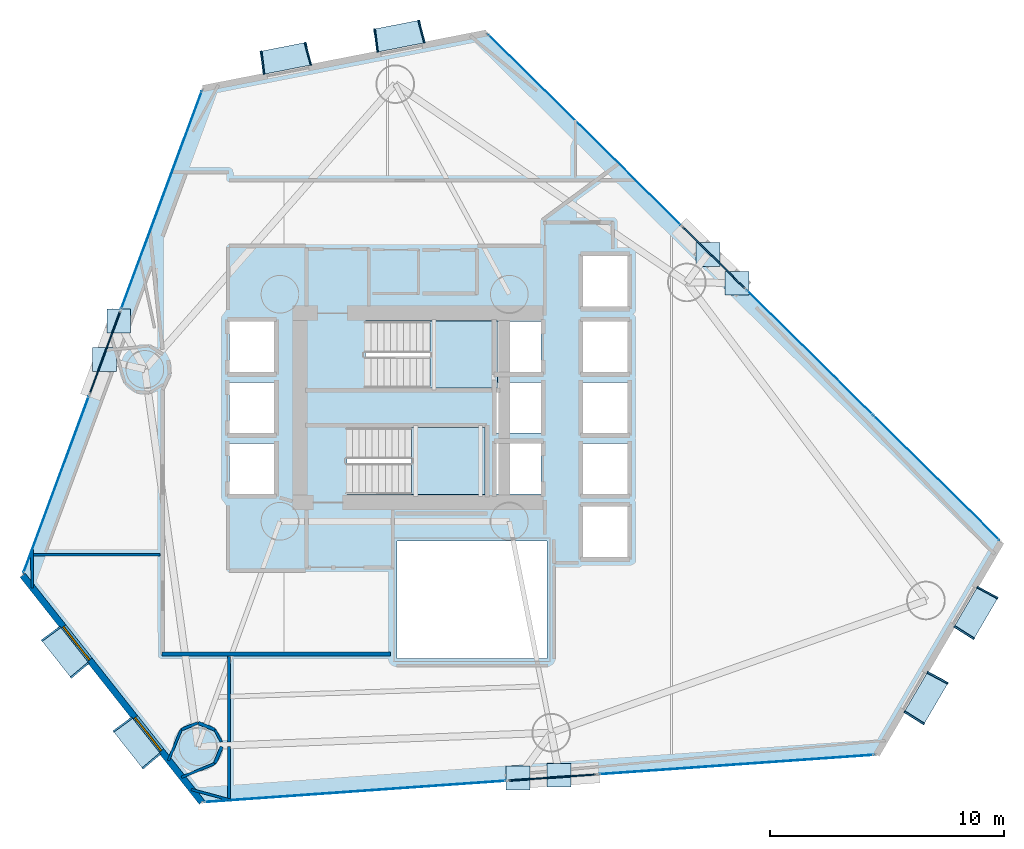
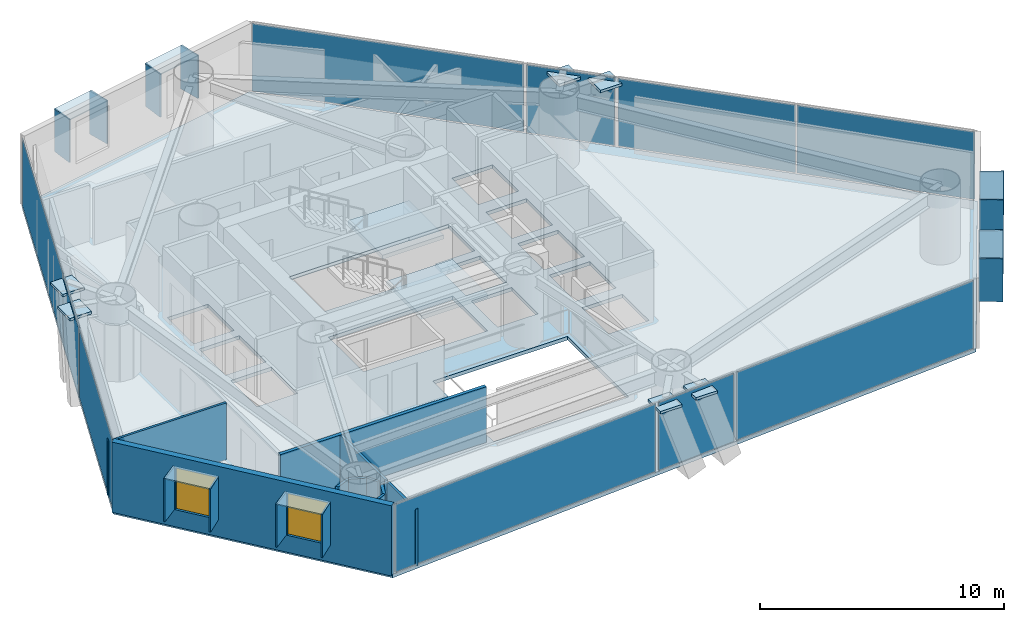
# One storey, part 17 of 24: 34 plates, 13 walls, 3 slabs, 2 windows, 2 openings, 11 elements without a shape of their own.
"""IFC4 building model written with IfcOpenShell, lengths in metres."""

from ifc_helpers import new_model, si_unit, direction, frame, frame_2d, origin, origin_2d, place, context, subcontext, project, spatial, polyline, rectangle, outline, extrude, material, layer, layer_set, type_object, element, fill, aggregate, save


model = new_model("IFC4")

# Units and contexts
model_context = context("Model", 3, precision=1e-05, world=origin(), true_north=direction((0.0, 1.0)))
body_context = subcontext(model_context, "Body", "Model", "MODEL_VIEW")
ifc_project = project(units=[si_unit("LENGTHUNIT", "METRE"), si_unit("AREAUNIT", "SQUARE_METRE"), si_unit("VOLUMEUNIT", "CUBIC_METRE"), si_unit("PLANEANGLEUNIT", "RADIAN"), si_unit("MASSUNIT", "GRAM", prefix="KILO")], contexts=[model_context])

# Site, building, storey
site_placement = place(None, origin())
site = spatial("IfcSite", under=ifc_project, at=site_placement, CompositionType="ELEMENT")
building_placement = place(site_placement, origin())
building = spatial("IfcBuilding", under=site, at=building_placement, Name="Qianvela Tower", CompositionType="ELEMENT")
storey_placement = place(building_placement, frame((0.0, 0.0, 59.89990234375)))
storey = spatial("IfcBuildingStorey", under=building, at=storey_placement, Name="L14", CompositionType="ELEMENT", Elevation=59.89990234375)

# Curtain wall, plate
ifc_material_1 = material(Name="Anodised Architectural Aluminium and Insulated Spandrel Panel", Category="aluminium")
ifc_layer_1 = layer(ifc_material_1, 0.179931640625)
ifc_layer_set_1 = layer_set([ifc_layer_1], Name="Anodised Architectural Aluminium and Insulated Spandrel Panel")
curtain_wall_type_1 = type_object("IfcCurtainWallType", Name="CW-BRACEBAY", PredefinedType="USERDEFINED", material=ifc_layer_set_1)
curtain_wall_1_placement = place(storey_placement, origin())
curtain_wall_1 = element("IfcCurtainWall", 1, at=curtain_wall_1_placement, inside=storey, type_object=curtain_wall_type_1, Name="L14 CW-BRACEBAY Curtain Wall 02B", ObjectType="CURTAIN_WALL_SYSTEM", PredefinedType="USERDEFINED")
ifc_material_2 = material(Name="Insulated Aluminium Spandrel Panel with Mineral-Wool Backpan", Category="aluminium")
ifc_layer_2 = layer(ifc_material_2, 0.06005859375)
ifc_layer_set_2 = layer_set([ifc_layer_2], Name="Insulated Aluminium Spandrel Panel with Mineral-Wool Backpan")
plate_type_1 = type_object("IfcPlateType", Name="CW-BRACEBAY-PNL", PredefinedType="CURTAIN_PANEL", material=ifc_layer_set_2)
plate_1_placement = place(storey_placement, frame((47.13916015625, 35.1123046875, 0.06494140625), z_axis=(0.0, 0.0, 1.0), x_axis=(-0.711136664197, 0.703053799388, 0.0)))
plate_1 = element("IfcPlate", 2, at=plate_1_placement, type_object=plate_type_1, Name="CW-9 panel 1.1", PredefinedType="CURTAIN_PANEL", context=body_context, shape_type="SweptSolid", body=[
    extrude(rectangle(XDim=3.72998046875, YDim=0.06005859375, at=origin_2d()), origin(), (0.0, 0.0, 1.0), 3.389892578125),
])
aggregate(curtain_wall_1, [plate_1])

curtain_wall_2_placement = place(storey_placement, origin())
curtain_wall_2 = element("IfcCurtainWall", 3, at=curtain_wall_2_placement, inside=storey, type_object=curtain_wall_type_1, Name="L14 CW-BRACEBAY Curtain Wall 04B", ObjectType="CURTAIN_WALL_SYSTEM", PredefinedType="USERDEFINED")
plate_2_placement = place(storey_placement, frame((21.12548828125, 31.056640625, 0.06494140625), z_axis=(0.0, 0.0, 1.0), x_axis=(-0.347262040569, -0.937768135084, 0.0)))
plate_2 = element("IfcPlate", 4, at=plate_2_placement, type_object=plate_type_1, Name="CW-9 panel 1.1", PredefinedType="CURTAIN_PANEL", context=body_context, shape_type="SweptSolid", body=[
    extrude(rectangle(XDim=3.72998046875, YDim=0.06005859375, at=origin_2d()), origin(), (0.0, 0.0, 1.0), 3.389892578125),
])
aggregate(curtain_wall_2, [plate_2])

curtain_wall_3_placement = place(storey_placement, origin())
curtain_wall_3 = element("IfcCurtainWall", 5, at=curtain_wall_3_placement, inside=storey, type_object=curtain_wall_type_1, Name="L14 CW-BRACEBAY Curtain Wall 06B", ObjectType="CURTAIN_WALL_SYSTEM", PredefinedType="USERDEFINED")
plate_3_placement = place(storey_placement, frame((40.24462890625, 12.90380859375, 0.06494140625), z_axis=(0.0, 0.0, 1.0), x_axis=(0.997523249946, 0.07033751359, 0.0)))
plate_3 = element("IfcPlate", 6, at=plate_3_placement, type_object=plate_type_1, Name="CW-9 panel 1.1", PredefinedType="CURTAIN_PANEL", context=body_context, shape_type="SweptSolid", body=[
    extrude(rectangle(XDim=3.72998046875, YDim=0.06005859375, at=origin_2d()), origin(), (0.0, 0.0, 1.0), 3.389892578125),
])
aggregate(curtain_wall_3, [plate_3])

# Curtain wall, plates
ifc_material_3 = material(Name="Anodised Architectural Aluminium and Low-E Glass", Category="aluminium")
ifc_layer_3 = layer(ifc_material_3, 0.179931640625)
ifc_layer_set_3 = layer_set([ifc_layer_3], Name="Anodised Architectural Aluminium and Low-E Glass")
curtain_wall_type_2 = type_object("IfcCurtainWallType", Name="CW-COLIV-Z12", PredefinedType="USERDEFINED", material=ifc_layer_set_3)
curtain_wall_4_placement = place(storey_placement, origin())
curtain_wall_4 = element("IfcCurtainWall", 7, at=curtain_wall_4_placement, inside=storey, type_object=curtain_wall_type_2, Name="L14 CW-COLIV-Z12 Curtain Wall 02A", ObjectType="CURTAIN_WALL_SYSTEM", PredefinedType="USERDEFINED")
ifc_material_4 = material(Name="Double-Silver Low-E Insulated Glass", Category="glass")
ifc_layer_4 = layer(ifc_material_4, 0.030029296875)
ifc_layer_set_4 = layer_set([ifc_layer_4], Name="Double-Silver Low-E Insulated Glass")
plate_type_2 = type_object("IfcPlateType", Name="CW-COLIV-Z12-PNL", PredefinedType="CURTAIN_PANEL", material=ifc_layer_set_4)
plate_4_placement = place(storey_placement, frame((56.648681640625, 25.710693359375, 0.06494140625), z_axis=(0.0, 0.0, 1.0), x_axis=(-0.711129980588, 0.703060559773, 0.0)))
plate_4 = element("IfcPlate", 8, at=plate_4_placement, type_object=plate_type_2, Name="CW-3 panel 1.1", PredefinedType="CURTAIN_PANEL", context=body_context, shape_type="SweptSolid", body=[
    extrude(rectangle(XDim=7.534912109375, YDim=0.030029296875, at=origin_2d()), origin(), (0.0, 0.0, 1.0), 3.389892578125),
])
plate_5_placement = place(storey_placement, frame((51.24072265625, 31.057373046875, 0.06494140625), z_axis=(0.0, 0.0, 1.0), x_axis=(-0.711129980588, 0.703060559773, 0.0)))
plate_5 = element("IfcPlate", 9, at=plate_5_placement, type_object=plate_type_2, Name="CW-3 panel 2.1", PredefinedType="CURTAIN_PANEL", context=body_context, shape_type="SweptSolid", body=[
    extrude(rectangle(XDim=7.534912109375, YDim=0.030029296875, at=origin_2d()), origin(), (0.0, 0.0, 1.0), 3.389892578125),
])
aggregate(curtain_wall_4, [plate_4, plate_5])

# Curtain wall, plate
curtain_wall_5_placement = place(storey_placement, origin())
curtain_wall_5 = element("IfcCurtainWall", 10, at=curtain_wall_5_placement, inside=storey, type_object=curtain_wall_type_2, Name="L14 CW-COLIV-Z12 Curtain Wall 02C", ObjectType="CURTAIN_WALL_SYSTEM", PredefinedType="USERDEFINED")
plate_6_placement = place(storey_placement, frame((41.61669921875, 40.572021484375, 0.06494140625), z_axis=(0.0, 0.0, 1.0), x_axis=(-0.71113076719, 0.703059764142, 0.0)))
plate_6 = element("IfcPlate", 11, at=plate_6_placement, type_object=plate_type_2, Name="CW-3 panel 1.1", PredefinedType="CURTAIN_PANEL", context=body_context, shape_type="SweptSolid", body=[
    extrude(rectangle(XDim=11.531494140625, YDim=0.030029296875, at=origin_2d()), origin(), (0.0, 0.0, 1.0), 3.389892578125),
])
aggregate(curtain_wall_5, [plate_6])

curtain_wall_6_placement = place(storey_placement, origin())
curtain_wall_6 = element("IfcCurtainWall", 12, at=curtain_wall_6_placement, inside=storey, type_object=curtain_wall_type_2, Name="L14 CW-COLIV-Z12 Curtain Wall 04A", ObjectType="CURTAIN_WALL_SYSTEM", PredefinedType="USERDEFINED")
plate_7_placement = place(storey_placement, frame((23.54052734375, 37.578857421875, 0.06494140625), z_axis=(0.0, 0.0, 1.0), x_axis=(-0.347262503743, -0.937767963568, 0.0)))
plate_7 = element("IfcPlate", 13, at=plate_7_placement, type_object=plate_type_2, Name="CW-3 panel 1.1", PredefinedType="CURTAIN_PANEL", context=body_context, shape_type="SweptSolid", body=[
    extrude(rectangle(XDim=9.909912109375, YDim=0.030029296875, at=origin_2d()), origin(), (0.0, 0.0, 1.0), 3.389892578125),
])
aggregate(curtain_wall_6, [plate_7])

curtain_wall_7_placement = place(storey_placement, origin())
curtain_wall_7 = element("IfcCurtainWall", 14, at=curtain_wall_7_placement, inside=storey, type_object=curtain_wall_type_2, Name="L14 CW-COLIV-Z12 Curtain Wall 04C", ObjectType="CURTAIN_WALL_SYSTEM", PredefinedType="USERDEFINED")
plate_8_placement = place(storey_placement, frame((19.0380859375, 25.420166015625, 0.06494140625), z_axis=(0.0, 0.0, 1.0), x_axis=(-0.347257288643, -0.937769894742, 0.0)))
plate_8 = element("IfcPlate", 15, at=plate_8_placement, type_object=plate_type_2, Name="CW-3 panel 1.1", PredefinedType="CURTAIN_PANEL", context=body_context, shape_type="SweptSolid", body=[
    extrude(rectangle(XDim=8.021484375, YDim=0.030029296875, at=origin_2d()), origin(), (0.0, 0.0, 1.0), 3.389892578125),
])
aggregate(curtain_wall_7, [plate_8])

curtain_wall_8_placement = place(storey_placement, origin())
curtain_wall_8 = element("IfcCurtainWall", 16, at=curtain_wall_8_placement, inside=storey, type_object=curtain_wall_type_2, Name="L14 CW-COLIV-Z12 Curtain Wall 06A", ObjectType="CURTAIN_WALL_SYSTEM", PredefinedType="USERDEFINED")
plate_9_placement = place(storey_placement, frame((31.815673828125, 12.3095703125, 0.06494140625), z_axis=(0.0, 0.0, 1.0), x_axis=(0.997523793106, 0.070329810087, 0.0)))
plate_9 = element("IfcPlate", 17, at=plate_9_placement, type_object=plate_type_2, Name="CW-3 panel 1.1", PredefinedType="CURTAIN_PANEL", context=body_context, shape_type="SweptSolid", body=[
    extrude(rectangle(XDim=12.89990234375, YDim=0.030029296875, at=origin_2d()), origin(), (0.0, 0.0, 1.0), 3.389892578125),
])
aggregate(curtain_wall_8, [plate_9])

curtain_wall_9_placement = place(storey_placement, origin())
curtain_wall_9 = element("IfcCurtainWall", 18, at=curtain_wall_9_placement, inside=storey, type_object=curtain_wall_type_2, Name="L14 CW-COLIV-Z12 Curtain Wall 06C", ObjectType="CURTAIN_WALL_SYSTEM", PredefinedType="USERDEFINED")
plate_10_placement = place(storey_placement, frame((48.10400390625, 13.4580078125, 0.06494140625), z_axis=(0.0, 0.0, 1.0), x_axis=(0.997523517096, 0.070333724777, 0.0)))
plate_10 = element("IfcPlate", 19, at=plate_10_placement, type_object=plate_type_2, Name="CW-3 panel 1.1", PredefinedType="CURTAIN_PANEL", context=body_context, shape_type="SweptSolid", body=[
    extrude(rectangle(XDim=11.757568359375, YDim=0.030029296875, at=origin_2d()), origin(), (0.0, 0.0, 1.0), 3.389892578125),
])
aggregate(curtain_wall_9, [plate_10])

# Plates
ifc_material_5 = material(Name="Steel Q420GJC", Category="steel")
ifc_layer_5 = layer(ifc_material_5, 0.1298828125)
ifc_layer_set_5 = layer_set([ifc_layer_5], Name="Steel Q420GJC")
plate_type_3 = type_object("IfcPlateType", Name="PT-ENDCAP-130", PredefinedType="USERDEFINED", material=ifc_layer_set_5)
for number, where, z_axis, x_axis, name in (
    (20, (48.130126953125, 34.02001953125, 3.159912109375), (0.0, 0.0, 1.0), (1.0, 0.0, 0.0), "L14 Hollow Section End Cap Plate B"),
    (21, (46.8837890625, 35.252197265625, 3.159912109375), (0.0, 0.0, 1.0), (1.0, 0.0, 0.0), "L14 Hollow Section End Cap Plate B"),
    (22, (21.71142578125, 32.408935546875, 3.159912109375), (0.0, 0.0, 1.0), (1.0, 0.0, 0.0), "L14 Hollow Section End Cap Plate B"),
    (23, (21.102783203125, 30.765380859375, 3.159912109375), (0.0, 0.0, 1.0), (1.0, 0.0, 0.0), "L14 Hollow Section End Cap Plate B"),
    (24, (38.76953125, 12.8798828125, 3.159912109375), (0.0, 0.0, 1.0), (1.0, 0.0, 0.0), "L14 Hollow Section End Cap Plate B"),
    (25, (40.517822265625, 13.003173828125, 3.159912109375), (0.0, 0.0, 1.0), (1.0, 0.0, 0.0), "L14 Hollow Section End Cap Plate B"),
):
    element("IfcPlate", number, at=place(storey_placement, frame(where, z_axis=z_axis, x_axis=x_axis)), inside=storey, type_object=plate_type_3, Name=name, ObjectType="END_CAP", PredefinedType="USERDEFINED", context=body_context, shape_type="SweptSolid", body=[
        extrude(rectangle(XDim=1.02001953125, YDim=1.02001953125, at=origin_2d()), origin(), (0.0, 0.0, 1.0), 0.1298828125),
    ])

# Slab
ifc_material_6 = material(Name="Concrete C40", Category="concrete")
ifc_layer_6 = layer(ifc_material_6, 0.179931640625)
ifc_layer_set_6 = layer_set([ifc_layer_6], Name="Concrete C40")
slab_type_1 = type_object("IfcSlabType", Name="SL-FLOOR-180", PredefinedType="FLOOR", material=ifc_layer_set_6)
slab_1_placement = place(storey_placement, frame((0.0, 0.0, -0.179931640625)))
element("IfcSlab", 26, at=slab_1_placement, inside=storey, type_object=slab_type_1, Name="L14 Composite Structural Floor Slab", PredefinedType="FLOOR", context=body_context, shape_type="SweptSolid", body=[
    extrude(outline(polyline([(54.087890625, 13.8798828125), (59.413330078125, 22.977294921875), (37.43115234375, 44.7099609375), (25.302978515625, 42.337890625), (17.603759765625, 21.54638671875), (25.261962890625, 11.847412109375), (54.087890625, 13.8798828125)]), holes=[polyline([(40.0, 23.0), (33.60009765625, 23.0), (33.60009765625, 18.0), (40.0, 18.0), (40.0, 23.0)]), polyline([(28.360107421875, 25.02001953125), (28.360107421875, 27.179931640625), (26.43994140625, 27.179931640625), (26.43994140625, 25.02001953125), (28.360107421875, 25.02001953125)]), polyline([(37.35009765625, 25.0), (37.35009765625, 27.860107421875), (31.469970703125, 27.860107421875), (31.469970703125, 25.0), (37.35009765625, 25.0)]), polyline([(28.360107421875, 27.6201171875), (28.360107421875, 29.780029296875), (26.43994140625, 29.780029296875), (26.43994140625, 27.6201171875), (28.360107421875, 27.6201171875)]), polyline([(37.89990234375, 32.3798828125), (37.89990234375, 32.39990234375), (32.25, 32.39990234375), (32.25, 29.5400390625), (37.840087890625, 29.5400390625), (37.840087890625, 27.6201171875), (39.760009765625, 27.6201171875), (39.760009765625, 29.780029296875), (37.89990234375, 29.780029296875), (37.89990234375, 30.219970703125), (39.760009765625, 30.219970703125), (39.760009765625, 32.3798828125), (37.89990234375, 32.3798828125)]), polyline([(28.360107421875, 30.219970703125), (28.360107421875, 32.3798828125), (26.43994140625, 32.3798828125), (26.43994140625, 30.219970703125), (28.360107421875, 30.219970703125)]), polyline([(43.4599609375, 24.47998046875), (41.5400390625, 24.47998046875), (41.5400390625, 22.320068359375), (43.4599609375, 22.320068359375), (43.4599609375, 24.47998046875)]), polyline([(39.760009765625, 25.02001953125), (39.760009765625, 27.179931640625), (37.840087890625, 27.179931640625), (37.840087890625, 25.02001953125), (39.760009765625, 25.02001953125)]), polyline([(43.4599609375, 25.02001953125), (43.4599609375, 27.179931640625), (41.5400390625, 27.179931640625), (41.5400390625, 25.02001953125), (43.4599609375, 25.02001953125)]), polyline([(43.4599609375, 27.6201171875), (43.4599609375, 29.780029296875), (41.5400390625, 29.780029296875), (41.5400390625, 27.6201171875), (43.4599609375, 27.6201171875)]), polyline([(43.4599609375, 30.219970703125), (43.4599609375, 32.3798828125), (41.5400390625, 32.3798828125), (41.5400390625, 30.219970703125), (43.4599609375, 30.219970703125)]), polyline([(43.4599609375, 33.02001953125), (43.4599609375, 35.179931640625), (41.5400390625, 35.179931640625), (41.5400390625, 33.02001953125), (43.4599609375, 33.02001953125)])]), origin(), (0.0, 0.0, 1.0), 0.179931640625),
])

# Stair, slab
ifc_material_7 = material(Name="Concrete C40", Category="concrete")
stair_type = type_object("IfcStairType", Name="ST-DOGLEG-1350-R168-N22", PredefinedType="HALF_TURN_STAIR", material=ifc_material_7)
stair_1_placement = place(storey_placement, origin())
stair_1 = element("IfcStair", 27, at=stair_1_placement, inside=storey, type_object=stair_type, Name="L14 Smoke-Proof Core Stair ST-1", PredefinedType="HALF_TURN_STAIR")
ifc_material_8 = material(Name="Concrete C40", Category="concrete")
ifc_layer_7 = layer(ifc_material_8, 0.199951171875)
ifc_layer_set_7 = layer_set([ifc_layer_7], Name="Concrete C40")
slab_type_2 = type_object("IfcSlabType", Name="SL-STAIR-LANDING-200", PredefinedType="LANDING", material=ifc_layer_set_7)
slab_2_placement = place(storey_placement, frame((0.0, 0.0, 1.650146484375)))
slab_2 = element("IfcSlab", 28, at=slab_2_placement, type_object=slab_type_2, Name="ST-1 landing 1", PredefinedType="LANDING", context=body_context, shape_type="SweptSolid", body=[
    extrude(outline(polyline([(35.0, 29.5400390625), (37.89990234375, 29.5400390625), (37.89990234375, 32.39990234375), (35.0, 32.39990234375), (35.0, 29.5400390625)])), origin(), (0.0, 0.0, 1.0), 0.199951171875),
])
aggregate(stair_1, [slab_2])

stair_2_placement = place(storey_placement, origin())
stair_2 = element("IfcStair", 29, at=stair_2_placement, inside=storey, type_object=stair_type, Name="L14 Smoke-Proof Core Stair ST-2", PredefinedType="HALF_TURN_STAIR")
slab_3_placement = place(storey_placement, frame((0.0, 0.0, 1.650146484375)))
slab_3 = element("IfcSlab", 30, at=slab_3_placement, type_object=slab_type_2, Name="ST-2 landing 1", PredefinedType="LANDING", context=body_context, shape_type="SweptSolid", body=[
    extrude(outline(polyline([(34.219970703125, 25.0), (37.35009765625, 25.0), (37.35009765625, 27.860107421875), (34.219970703125, 27.860107421875), (34.219970703125, 25.0)])), origin(), (0.0, 0.0, 1.0), 0.199951171875),
])
aggregate(stair_2, [slab_3])

# Plates
ifc_material_9 = material(Name="Vitrified Architectural Terracotta Panel", Category="masonry")
ifc_layer_8 = layer(ifc_material_9, 0.06005859375)
ifc_layer_set_8 = layer_set([ifc_layer_8], Name="Vitrified Architectural Terracotta Panel")
plate_type_4 = type_object("IfcPlateType", Name="TERRACOTTA-SUNSHADE-HOOD-FOLD-A", PredefinedType="USERDEFINED", material=ifc_layer_set_8)
for number, where, z_axis, x_axis, name in (
    (31, (33.678466796875, 44.582275390625, 2.9599609375), (0.0, 0.0, 1.0), (-0.981406401046, -0.191941334752, 0.0), "L14 Terracotta Sunshade Hood FOLD-A"),
    (32, (28.827392578125, 43.633544921875, 2.9599609375), (0.0, 0.0, 1.0), (-0.981406401046, -0.191941334752, 0.0), "L14 Terracotta Sunshade Hood FOLD-A"),
):
    element("IfcPlate", number, at=place(storey_placement, frame(where, z_axis=z_axis, x_axis=x_axis)), inside=storey, type_object=plate_type_4, Name=name, ObjectType="SUNSHADE", PredefinedType="USERDEFINED", context=body_context, shape_type="SweptSolid", body=[
        extrude(rectangle(XDim=2.0400390625, YDim=0.989990234375, at=origin_2d()), origin(), (0.0, 0.0, 1.0), 0.06005859375),
    ])
ifc_material_10 = material(Name="Vitrified Architectural Terracotta Panel", Category="masonry")
ifc_layer_9 = layer(ifc_material_10, 0.070068359375)
ifc_layer_set_9 = layer_set([ifc_layer_9], Name="Vitrified Architectural Terracotta Panel")
plate_type_5 = type_object("IfcPlateType", Name="TERRACOTTA-SUNSHADE-HOOD-FOLD-C", PredefinedType="USERDEFINED", material=ifc_layer_set_9)
for number, where, z_axis, x_axis, name in (
    (33, (56.198974609375, 16.30859375, 2.9599609375), (0.0, 0.0, 1.0), (0.505176959007, 0.863015782062, 0.0), "L14 Terracotta Sunshade Hood FOLD-C"),
    (34, (58.3291015625, 19.947509765625, 2.9599609375), (0.0, 0.0, 1.0), (0.505176959007, 0.863015782062, 0.0), "L14 Terracotta Sunshade Hood FOLD-C"),
    (35, (19.43408203125, 18.26806640625, 2.9599609375), (0.0, 0.0, 1.0), (0.619698216613, -0.784840187762, 0.0), "L14 Terracotta Sunshade Hood FOLD-C"),
    (36, (22.49755859375, 14.388427734375, 2.9599609375), (0.0, 0.0, 1.0), (0.619698216613, -0.784840187762, 0.0), "L14 Terracotta Sunshade Hood FOLD-C"),
):
    element("IfcPlate", number, at=place(storey_placement, frame(where, z_axis=z_axis, x_axis=x_axis)), inside=storey, type_object=plate_type_5, Name=name, ObjectType="SUNSHADE", PredefinedType="USERDEFINED", context=body_context, shape_type="SweptSolid", body=[
        extrude(rectangle(XDim=2.0400390625, YDim=0.989990234375, at=origin_2d()), origin(), (0.0, 0.0, 1.0), 0.06005859375),
    ])
ifc_material_11 = material(Name="Vitrified Architectural Terracotta Side Fin Panel", Category="masonry")
ifc_layer_10 = layer(ifc_material_11, 0.06494140625)
ifc_layer_set_10 = layer_set([ifc_layer_10], Name="Vitrified Architectural Terracotta Side Fin Panel")
plate_type_6 = type_object("IfcPlateType", Name="TERRACOTTA-SUNSHADE-STRUT-FOLD-A", PredefinedType="USERDEFINED", material=ifc_layer_set_10)
for number, where, z_axis, x_axis, name in (
    (37, (34.650146484375, 44.7724609375, 0.85009765625), (0.0, 0.0, 1.0), (-0.9656265937, -0.259933225154, 0.0), "L14 Terracotta Sunshade Side Fin HL FOLD-A"),
    (38, (32.706787109375, 44.392333984375, 0.85009765625), (0.0, 0.0, 1.0), (-0.992404895056, -0.12301432546, 0.0), "L14 Terracotta Sunshade Side Fin HR FOLD-A"),
    (39, (29.798828125, 43.823486328125, 0.85009765625), (0.0, 0.0, 1.0), (-0.9656265937, -0.259933225154, 0.0), "L14 Terracotta Sunshade Side Fin HL FOLD-A"),
    (40, (27.855712890625, 43.443603515625, 0.85009765625), (0.0, 0.0, 1.0), (-0.992404895056, -0.12301432546, 0.0), "L14 Terracotta Sunshade Side Fin HR FOLD-A"),
):
    element("IfcPlate", number, at=place(storey_placement, frame(where, z_axis=z_axis, x_axis=x_axis)), inside=storey, type_object=plate_type_6, Name=name, ObjectType="SUNSHADE", PredefinedType="USERDEFINED", context=body_context, shape_type="SweptSolid", body=[
        extrude(rectangle(XDim=0.06494140625, YDim=1.010009765625, at=origin_2d()), origin(), (0.0, 0.0, 1.0), 2.159912109375),
    ])
ifc_material_12 = material(Name="Vitrified Architectural Terracotta Side Fin Panel", Category="masonry")
ifc_layer_11 = layer(ifc_material_12, 0.074951171875)
ifc_layer_set_11 = layer_set([ifc_layer_11], Name="Vitrified Architectural Terracotta Side Fin Panel")
plate_type_7 = type_object("IfcPlateType", Name="TERRACOTTA-SUNSHADE-STRUT-FOLD-C", PredefinedType="USERDEFINED", material=ifc_layer_set_11)
for number, where, z_axis, x_axis, name in (
    (41, (55.698974609375, 15.4541015625, 0.85009765625), (0.0, 0.0, 1.0), (0.534988035293, 0.844859634551, 0.0), "L14 Terracotta Sunshade Side Fin HL FOLD-C"),
    (42, (56.69921875, 17.162841796875, 0.85009765625), (0.0, 0.0, 1.0), (0.474750402412, 0.880120477781, 0.0), "L14 Terracotta Sunshade Side Fin HR FOLD-C"),
    (43, (57.8291015625, 19.09326171875, 0.85009765625), (0.0, 0.0, 1.0), (0.534988035293, 0.844859634551, 0.0), "L14 Terracotta Sunshade Side Fin HL FOLD-C"),
    (44, (58.829345703125, 20.802001953125, 0.85009765625), (0.0, 0.0, 1.0), (0.474750402412, 0.880120477781, 0.0), "L14 Terracotta Sunshade Side Fin HR FOLD-C"),
    (45, (18.82080078125, 19.044921875, 0.85009765625), (0.0, 0.0, 1.0), (0.591930185658, -0.805989240193, 0.0), "L14 Terracotta Sunshade Side Fin HL FOLD-C"),
    (46, (20.047607421875, 17.490966796875, 0.85009765625), (0.0, 0.0, 1.0), (0.646711240748, -0.762734928458, 0.0), "L14 Terracotta Sunshade Side Fin HR FOLD-C"),
    (47, (21.884033203125, 15.165283203125, 0.85009765625), (0.0, 0.0, 1.0), (0.591930185658, -0.805989240193, 0.0), "L14 Terracotta Sunshade Side Fin HL FOLD-C"),
    (48, (23.111083984375, 13.611328125, 0.85009765625), (0.0, 0.0, 1.0), (0.646711240748, -0.762734928458, 0.0), "L14 Terracotta Sunshade Side Fin HR FOLD-C"),
):
    element("IfcPlate", number, at=place(storey_placement, frame(where, z_axis=z_axis, x_axis=x_axis)), inside=storey, type_object=plate_type_7, Name=name, ObjectType="SUNSHADE", PredefinedType="USERDEFINED", context=body_context, shape_type="SweptSolid", body=[
        extrude(rectangle(XDim=0.074951171875, YDim=1.010009765625, at=origin_2d()), origin(), (0.0, 0.0, 1.0), 2.159912109375),
    ])

# Wall, openings, windows
ifc_material_13 = material(Name="Terracotta Cladding on Concrete C40", Category="masonry")
ifc_layer_12 = layer(ifc_material_13, 0.280029296875)
ifc_layer_set_12 = layer_set([ifc_layer_12], Name="Terracotta Cladding on Concrete C40")
wall_type_1 = type_object("IfcWallType", Name="TERRACOTTA-WALL-280", PredefinedType="SOLIDWALL", material=ifc_layer_set_12)
wall_1_placement = place(storey_placement, frame((17.603759765625, 21.54638671875, 0.0), z_axis=(0.0, 0.0, 1.0), x_axis=(0.619700014563, -0.784838768124, 0.0)))
wall_1 = element("IfcWall", 49, at=wall_1_placement, inside=storey, type_object=wall_type_1, Name="L14 Terracotta Chamfer Facet Wall 5", PredefinedType="SOLIDWALL", context=body_context, shape_type="SweptSolid", body=[
    extrude(rectangle(XDim=12.35791015625, YDim=0.280029296875, at=frame_2d((6.178955078125, 0.0))), origin(), (0.0, 0.0, 1.0), 3.52001953125),
])
opening_1_placement = place(wall_1_placement, frame((2.807373046875, 0.0, 0.85009765625)))
opening_1 = element("IfcOpeningElement", 50, at=opening_1_placement, cuts=wall_1, Name="Opening W-01", PredefinedType="OPENING", context=body_context, shape_type="SweptSolid", body=[
    extrude(rectangle(XDim=1.800048828125, YDim=2.10009765625, at=frame_2d((0.89990234375, 1.050048828125))), frame((0.0, 0.14990234375, 0.0), z_axis=(0.0, -1.0, 0.0), x_axis=(1.0, 0.0, 0.0)), (0.0, 0.0, 1.0), 0.300048828125),
])
opening_2_placement = place(wall_1_placement, frame((7.75048828125, 0.0, 0.85009765625)))
opening_2 = element("IfcOpeningElement", 51, at=opening_2_placement, cuts=wall_1, Name="Opening W-01", PredefinedType="OPENING", context=body_context, shape_type="SweptSolid", body=[
    extrude(rectangle(XDim=1.800048828125, YDim=2.10009765625, at=frame_2d((0.89990234375, 1.050048828125))), frame((0.0, 0.14990234375, 0.0), z_axis=(0.0, -1.0, 0.0), x_axis=(1.0, 0.0, 0.0)), (0.0, 0.0, 1.0), 0.300048828125),
])
ifc_material_14 = material(Name="Thermally Broken Aluminium and Low-E Glass", Category="aluminium")
window_type = type_object("IfcWindowType", Name="WIN-TC-1800x2100", PartitioningType="DOUBLE_PANEL_VERTICAL", PredefinedType="WINDOW", material=ifc_material_14)
window_1_placement = place(opening_1_placement, origin())
window_1 = element("IfcWindow", 52, at=window_1_placement, inside=storey, type_object=window_type, Name="L14 Chamfer Facet Window 5.1", OverallHeight=2.10009765625, OverallWidth=1.800048828125, PartitioningType="SINGLE_PANEL", PredefinedType="WINDOW", context=body_context, shape_type="SweptSolid", body=[
    extrude(rectangle(XDim=1.800048828125, YDim=2.10009765625, at=frame_2d((0.89990234375, 1.050048828125))), frame((0.0, 0.030029296875, 0.0), z_axis=(0.0, -1.0, 0.0), x_axis=(1.0, 0.0, 0.0)), (0.0, 0.0, 1.0), 0.06005859375),
])
fill(opening_1, window_1)
window_2_placement = place(opening_2_placement, origin())
window_2 = element("IfcWindow", 53, at=window_2_placement, inside=storey, type_object=window_type, Name="L14 Chamfer Facet Window 5.2", OverallHeight=2.10009765625, OverallWidth=1.800048828125, PartitioningType="SINGLE_PANEL", PredefinedType="WINDOW", context=body_context, shape_type="SweptSolid", body=[
    extrude(rectangle(XDim=1.800048828125, YDim=2.10009765625, at=frame_2d((0.89990234375, 1.050048828125))), frame((0.0, 0.030029296875, 0.0), z_axis=(0.0, -1.0, 0.0), x_axis=(1.0, 0.0, 0.0)), (0.0, 0.0, 1.0), 0.06005859375),
])
fill(opening_2, window_2)

# Walls
ifc_material_15 = material(Name="Fire-Rated Gypsum and Concrete Block", Category="concrete")
ifc_layer_13 = layer(ifc_material_15, 0.159912109375)
ifc_layer_set_13 = layer_set([ifc_layer_13], Name="Fire-Rated Gypsum and Concrete Block")
wall_type_2 = type_object("IfcWallType", Name="WT-CORR-160", PredefinedType="PARTITIONING", material=ifc_layer_set_13)
wall_2_placement = place(storey_placement, frame((33.320068359375, 18.180908203125, 0.0), z_axis=(0.0, 0.0, 1.0), x_axis=(-1.0, 0.0, 0.0)))
element("IfcWall", 54, at=wall_2_placement, inside=storey, type_object=wall_type_2, Name="L14 Partition 50", PredefinedType="PARTITIONING", context=body_context, shape_type="SweptSolid", body=[
    extrude(rectangle(XDim=9.77001953125, YDim=0.159912109375, at=frame_2d((4.885009765625, 0.0))), origin(), (0.0, 0.0, 1.0), 2.798095703125),
])
ifc_material_16 = material(Name="Lightweight Gypsum Room Partition")
ifc_layer_14 = layer(ifc_material_16, 0.10498046875)
ifc_layer_set_14 = layer_set([ifc_layer_14], Name="Lightweight Gypsum Room Partition")
wall_type_3 = type_object("IfcWallType", Name="WT-PART-105", PredefinedType="PARTITIONING", material=ifc_layer_set_14)
wall_3_placement = place(storey_placement, frame((26.09375, 14.427978515625, 0.0), z_axis=(0.0, 0.0, 1.0), x_axis=(-0.468979373437, 0.883209118663, 0.0)))
element("IfcWall", 55, at=wall_3_placement, inside=storey, type_object=wall_type_3, Name="L14 Partition 56", PredefinedType="PARTITIONING", context=body_context, shape_type="SweptSolid", body=[
    extrude(rectangle(XDim=0.5751953125, YDim=0.10498046875, at=frame_2d((0.28759765625, 0.0))), origin(), (0.0, 0.0, 1.0), 2.798095703125),
])
wall_4_placement = place(storey_placement, frame((24.375, 14.933349609375, 0.0), z_axis=(0.0, 0.0, 1.0), x_axis=(-0.382799302266, -0.923831529114, 0.0)))
element("IfcWall", 56, at=wall_4_placement, inside=storey, type_object=wall_type_3, Name="L14 Partition 59", PredefinedType="PARTITIONING", context=body_context, shape_type="SweptSolid", body=[
    extrude(rectangle(XDim=1.413330078125, YDim=0.10498046875, at=frame_2d((0.70654296875, 0.0))), origin(), (0.0, 0.0, 1.0), 2.840087890625),
])
wall_5_placement = place(storey_placement, frame((24.39501953125, 12.914306640625, 0.0), z_axis=(0.0, 0.0, 1.0), x_axis=(0.923816459452, 0.382835668721, 0.0)))
element("IfcWall", 57, at=wall_5_placement, inside=storey, type_object=wall_type_3, Name="L14 Partition 62", PredefinedType="PARTITIONING", context=body_context, shape_type="SweptSolid", body=[
    extrude(rectangle(XDim=1.52978515625, YDim=0.10498046875, at=frame_2d((0.764892578125, 0.0))), origin(), (0.0, 0.0, 1.0), 2.840087890625),
])
wall_6_placement = place(storey_placement, frame((26.496337890625, 11.934326171875, 0.0), z_axis=(0.0, 0.0, 1.0), x_axis=(-0.964931269473, 0.262502657498, 0.0)))
element("IfcWall", 58, at=wall_6_placement, inside=storey, type_object=wall_type_3, Name="L14 Partition 65", PredefinedType="PARTITIONING", context=body_context, shape_type="SweptSolid", body=[
    extrude(rectangle(XDim=1.74755859375, YDim=0.10498046875, at=frame_2d((0.873779296875, 0.0))), origin(), (0.0, 0.0, 1.0), 2.840087890625),
])
wall_7_placement = place(storey_placement, frame((17.909912109375, 22.427001953125, 0.0), z_axis=(0.0, 0.0, 1.0), x_axis=(1.0, 0.0, 0.0)))
element("IfcWall", 59, at=wall_7_placement, inside=storey, type_object=wall_type_3, Name="L14 Partition 68", PredefinedType="PARTITIONING", context=body_context, shape_type="SweptSolid", body=[
    extrude(rectangle(XDim=5.56005859375, YDim=0.10498046875, at=frame_2d((2.780029296875, 0.0))), origin(), (0.0, 0.0, 1.0), 2.840087890625),
])
ifc_material_17 = material(Name="Insulated Gypsum Stud Partition")
ifc_layer_15 = layer(ifc_material_17, 0.1201171875)
ifc_layer_set_15 = layer_set([ifc_layer_15], Name="Insulated Gypsum Stud Partition")
wall_type_4 = type_object("IfcWallType", Name="WT-PART-120", PredefinedType="PARTITIONING", material=ifc_layer_set_15)
wall_8_placement = place(storey_placement, frame((26.427001953125, 18.070068359375, 0.0), z_axis=(0.0, 0.0, 1.0), x_axis=(0.0, -1.0, 0.0)))
element("IfcWall", 60, at=wall_8_placement, inside=storey, type_object=wall_type_4, Name="L14 Partition 55", PredefinedType="PARTITIONING", context=body_context, shape_type="SweptSolid", body=[
    extrude(rectangle(XDim=3.655517578125, YDim=0.1201171875, at=frame_2d((1.82763671875, 0.0))), origin(), (0.0, 0.0, 1.0), 2.798095703125),
])
wall_9_placement = place(storey_placement, frame((25.088134765625, 15.238525390625, 0.0), z_axis=(0.0, 0.0, 1.0), x_axis=(-0.923965532966, -0.382475742879, 0.0)))
element("IfcWall", 61, at=wall_9_placement, inside=storey, type_object=wall_type_4, Name="L14 Partition 58", PredefinedType="PARTITIONING", context=body_context, shape_type="SweptSolid", body=[
    extrude(rectangle(XDim=0.75390625, YDim=0.1201171875, at=frame_2d((0.376953125, 0.0))), origin(), (0.0, 0.0, 1.0), 2.798095703125),
])
wall_10_placement = place(storey_placement, frame((26.427001953125, 14.234619140625, 0.0), z_axis=(0.0, 0.0, 1.0), x_axis=(0.0, -1.0, 0.0)))
element("IfcWall", 62, at=wall_10_placement, inside=storey, type_object=wall_type_4, Name="L14 Partition 64", PredefinedType="PARTITIONING", context=body_context, shape_type="SweptSolid", body=[
    extrude(rectangle(XDim=2.3251953125, YDim=0.1201171875, at=frame_2d((1.16259765625, 0.0))), origin(), (0.0, 0.0, 1.0), 2.798095703125),
])
wall_11_placement = place(storey_placement, frame((18.014892578125, 20.998046875, 0.0), z_axis=(0.0, 0.0, 1.0), x_axis=(-0.002220571875, 0.999997534527, 0.0)))
element("IfcWall", 63, at=wall_11_placement, inside=storey, type_object=wall_type_4, Name="L14 Partition 67", PredefinedType="PARTITIONING", context=body_context, shape_type="SweptSolid", body=[
    extrude(rectangle(XDim=1.649169921875, YDim=0.1201171875, at=frame_2d((0.82470703125, 0.0))), origin(), (0.0, 0.0, 1.0), 2.840087890625),
])
ifc_material_18 = material(Name="Acoustic Double Gypsum Stud Partition")
ifc_layer_16 = layer(ifc_material_18, 0.139892578125)
ifc_layer_set_16 = layer_set([ifc_layer_16], Name="Acoustic Double Gypsum Stud Partition")
wall_type_5 = type_object("IfcWallType", Name="WT-ROOM-140", PredefinedType="PARTITIONING", material=ifc_layer_set_16)
wall_12_placement = place(storey_placement, frame((25.808349609375, 14.9501953125, 0.0), z_axis=(0.0, 0.0, 1.0), x_axis=(-0.923965532966, 0.382475742879, 0.0)))
element("IfcWall", 64, at=wall_12_placement, inside=storey, type_object=wall_type_5, Name="L14 Partition 57", PredefinedType="PARTITIONING", context=body_context, shape_type="SweptSolid", body=[
    extrude(rectangle(XDim=0.75390625, YDim=0.139892578125, at=frame_2d((0.376953125, 0.0))), origin(), (0.0, 0.0, 1.0), 2.798095703125),
])
wall_13_placement = place(storey_placement, frame((25.8251953125, 13.516845703125, 0.0), z_axis=(0.0, 0.0, 1.0), x_axis=(0.377796007695, 0.925888857569, 0.0)))
element("IfcWall", 65, at=wall_13_placement, inside=storey, type_object=wall_type_5, Name="L14 Partition 63", PredefinedType="PARTITIONING", context=body_context, shape_type="SweptSolid", body=[
    extrude(rectangle(XDim=0.76123046875, YDim=0.139892578125, at=frame_2d((0.380615234375, 0.0))), origin(), (0.0, 0.0, 1.0), 2.798095703125),
])

save(model, "model.ifc")
